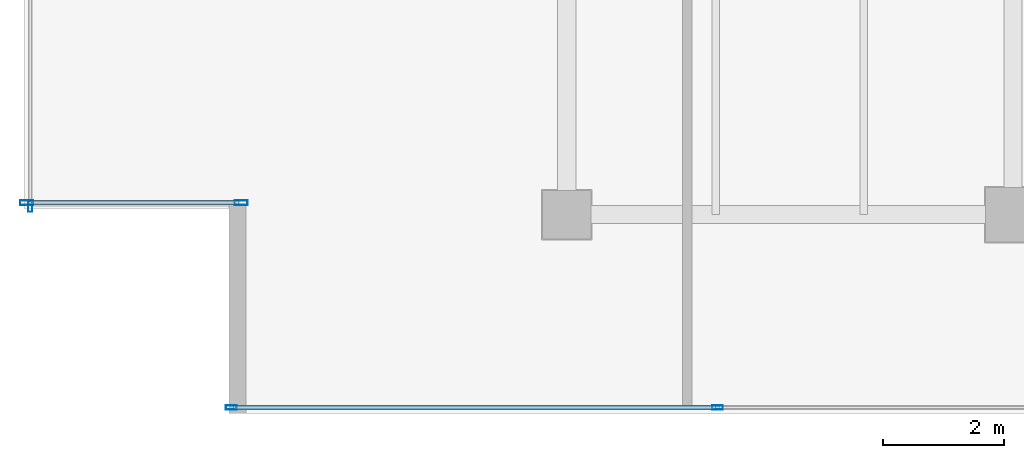
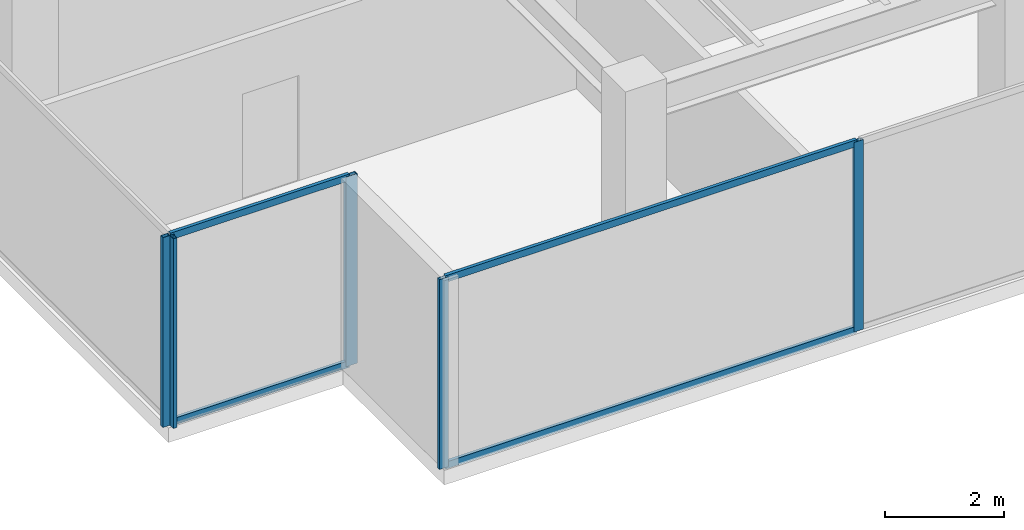
# One storey, part 4 of 32: 9 members, 3 elements without a shape of their own.
"""IFC4 building model written with IfcOpenShell, lengths in metres."""

from ifc_helpers import new_model, si_unit, direction, frame, origin, origin_2d, place, context, subcontext, project, spatial, hollow_rectangle, extrude, source, transform, mapped, material, layer, layer_set, material_profile, profile_set, type_object, type_shapes, element, aggregate, save


model = new_model("IFC4")

# Units and contexts
model_context = context("Model", 3, precision=1e-05, world=origin(), true_north=direction((0.0, 1.0)))
body_context = subcontext(model_context, "Body", "Model", "MODEL_VIEW")
ifc_project = project(units=[si_unit("LENGTHUNIT", "METRE"), si_unit("AREAUNIT", "SQUARE_METRE"), si_unit("VOLUMEUNIT", "CUBIC_METRE"), si_unit("PLANEANGLEUNIT", "RADIAN"), si_unit("MASSUNIT", "GRAM", prefix="KILO")], contexts=[model_context])

# Site, building, storey
site_placement = place(None, origin())
site = spatial("IfcSite", under=ifc_project, at=site_placement, CompositionType="ELEMENT")
building_placement = place(site_placement, origin())
building = spatial("IfcBuilding", under=site, at=building_placement, Name="Haelvirn Gate Laboratories", CompositionType="ELEMENT")
storey_placement = place(building_placement, frame((0.0, 0.0, 314.39990234375)))
storey = spatial("IfcBuildingStorey", under=building, at=storey_placement, Name="L75", CompositionType="ELEMENT", Elevation=314.39990234375)

# Curtain wall, members
ifc_material_1 = material(Name="Anodised bronze unitised aluminium & triple low-E glass", Category="aluminium")
ifc_layer_1 = layer(ifc_material_1, 0.181884765625, Name="CW-SYS-5")
ifc_layer_set_1 = layer_set([ifc_layer_1], Name="Anodised bronze unitised aluminium & triple low-E glass")
curtain_wall_type_1 = type_object("IfcCurtainWallType", Name="CW-SYS-5", PredefinedType="NOTDEFINED", material=ifc_layer_set_1)
curtain_wall_1_placement = place(storey_placement, origin())
curtain_wall_1 = element("IfcCurtainWall", 1, at=curtain_wall_1_placement, inside=storey, type_object=curtain_wall_type_1, Name="L75 Unitised Curtain Wall CW-L75-P0-E18-1", PredefinedType="NOTDEFINED")
ifc_material_2 = material(Name="Extruded aluminium 6063-T6 (anodised bronze)", Category="aluminium")
ifc_material_profile_1 = material_profile(ifc_material_2, hollow_rectangle(XDim=0.06494140625, YDim=0.139892578125, WallThickness=0.00390625, at=origin_2d()), Name="CWT-140x65x4")
ifc_profile_set_1 = profile_set([ifc_material_profile_1], Name="Extruded aluminium 6063-T6 (anodised bronze)")
member_type_1 = type_object("IfcMemberType", Name="CWT-T140", PredefinedType="USERDEFINED", material=ifc_profile_set_1)
shared_shape_1 = source(origin(), body_context, "Body", "SweptSolid", [
    extrude(hollow_rectangle(XDim=0.06494140625, YDim=0.139892578125, WallThickness=0.00390625, at=origin_2d()), origin(), (0.0, 0.0, 1.0), 3.480224609375),
])
member_1_placement = place(storey_placement, frame((5.8798828125, 7.199951171875, 0.03271484375), z_axis=(1.0, 0.0, 0.0), x_axis=(0.0, 1.0, 0.0)))
member_1 = element("IfcMember", 2, at=member_1_placement, type_object=member_type_1, Name="CW5 transom 1.1", ObjectType="TRANSOM", PredefinedType="USERDEFINED", context=body_context, shape_type="MappedRepresentation", body=[
    mapped(shared_shape_1, transform((0.0, 0.0, 0.0), scale=1.0)),
])
member_2_placement = place(storey_placement, frame((5.8798828125, 7.199951171875, 3.86767578125), z_axis=(1.0, 0.0, 0.0), x_axis=(0.0, 1.0, 0.0)))
member_2 = element("IfcMember", 3, at=member_2_placement, type_object=member_type_1, Name="CW5 transom 1.2", ObjectType="TRANSOM", PredefinedType="USERDEFINED", context=body_context, shape_type="MappedRepresentation", body=[
    mapped(shared_shape_1, transform((0.0, 0.0, 0.0), scale=1.0)),
])

ifc_layer_2 = layer(ifc_material_1, 0.176025390625, Name="CW-SYS-4")
ifc_layer_set_2 = layer_set([ifc_layer_2], Name="Anodised bronze unitised aluminium & triple low-E glass")
curtain_wall_type_2 = type_object("IfcCurtainWallType", Name="CW-SYS-4", PredefinedType="NOTDEFINED", material=ifc_layer_set_2)
curtain_wall_2_placement = place(storey_placement, origin())
curtain_wall_2 = element("IfcCurtainWall", 4, at=curtain_wall_2_placement, inside=storey, type_object=curtain_wall_type_2, Name="L75 Unitised Curtain Wall CW-L75-P0-E00-1", PredefinedType="NOTDEFINED")
shared_shape_2 = source(origin(), body_context, "Body", "SweptSolid", [
    extrude(hollow_rectangle(XDim=0.06494140625, YDim=0.139892578125, WallThickness=0.00390625, at=origin_2d()), origin(), (0.0, 0.0, 1.0), 7.994873046875),
])
type_shapes(member_type_1, [shared_shape_1, shared_shape_2])
member_3_placement = place(storey_placement, frame((9.27001953125, 3.800048828125, 0.03271484375), z_axis=(1.0, 0.0, 0.0), x_axis=(0.0, 1.0, 0.0)))
member_3 = element("IfcMember", 5, at=member_3_placement, type_object=member_type_1, Name="CW4 transom 1.1", ObjectType="TRANSOM", PredefinedType="USERDEFINED", context=body_context, shape_type="MappedRepresentation", body=[
    mapped(shared_shape_2, transform((0.0, 0.0, 0.0), scale=1.0)),
])
member_4_placement = place(storey_placement, frame((9.27001953125, 3.800048828125, 3.86767578125), z_axis=(1.0, 0.0, 0.0), x_axis=(0.0, 1.0, 0.0)))
member_4 = element("IfcMember", 6, at=member_4_placement, type_object=member_type_1, Name="CW4 transom 1.2", ObjectType="TRANSOM", PredefinedType="USERDEFINED", context=body_context, shape_type="MappedRepresentation", body=[
    mapped(shared_shape_2, transform((0.0, 0.0, 0.0), scale=1.0)),
])
ifc_material_profile_2 = material_profile(ifc_material_2, hollow_rectangle(XDim=0.070068359375, YDim=0.179931640625, WallThickness=0.0048828125, at=origin_2d()), Name="CWM-180x70x5")
ifc_profile_set_2 = profile_set([ifc_material_profile_2], Name="Extruded aluminium 6063-T6 (anodised bronze)")
member_type_2 = type_object("IfcMemberType", Name="CWM-T180", PredefinedType="MULLION", material=ifc_profile_set_2)
shared_shape_3 = source(origin(), body_context, "Body", "SweptSolid", [
    extrude(hollow_rectangle(XDim=0.070068359375, YDim=0.179931640625, WallThickness=0.0048828125, at=origin_2d()), origin(), (0.0, 0.0, 1.0), 3.900146484375),
])
type_shapes(member_type_2, [shared_shape_3])
member_5_placement = place(storey_placement, frame((9.235107421875, 3.800048828125, 0.0), z_axis=(0.0, 0.0, 1.0), x_axis=(0.0, 1.0, 0.0)))
member_5 = element("IfcMember", 7, at=member_5_placement, type_object=member_type_2, Name="CW4 mullion 1", PredefinedType="MULLION", context=body_context, shape_type="MappedRepresentation", body=[
    mapped(shared_shape_3, transform((0.0, 0.0, 0.0), scale=1.0)),
])
member_6_placement = place(storey_placement, frame((17.300048828125, 3.800048828125, 0.0), z_axis=(0.0, 0.0, 1.0), x_axis=(0.0, 1.0, 0.0)))
member_6 = element("IfcMember", 8, at=member_6_placement, type_object=member_type_2, Name="CW4 mullion 2", PredefinedType="MULLION", context=body_context, shape_type="MappedRepresentation", body=[
    mapped(shared_shape_3, transform((0.0, 0.0, 0.0), scale=1.0)),
])
aggregate(curtain_wall_2, [member_5, member_6, member_3, member_4])

# Curtain wall, member
curtain_wall_3_placement = place(storey_placement, origin())
curtain_wall_3 = element("IfcCurtainWall", 9, at=curtain_wall_3_placement, inside=storey, type_object=curtain_wall_type_2, Name="L75 Unitised Curtain Wall CW-L75-P0-E17", PredefinedType="NOTDEFINED")
member_7_placement = place(storey_placement, frame((5.89990234375, 7.135009765625, 0.0), z_axis=(0.0, 0.0, 1.0), x_axis=(1.0, 0.0, 0.0)))
member_7 = element("IfcMember", 10, at=member_7_placement, type_object=member_type_2, Name="CW4 mullion 3", PredefinedType="MULLION", context=body_context, shape_type="MappedRepresentation", body=[
    mapped(shared_shape_3, transform((0.0, 0.0, 0.0), scale=1.0)),
])
aggregate(curtain_wall_3, [member_7])

# Member
ifc_material_profile_3 = material_profile(ifc_material_2, hollow_rectangle(XDim=0.080078125, YDim=0.219970703125, WallThickness=0.006103515625, at=origin_2d()), Name="CWM-220x80x6")
ifc_profile_set_3 = profile_set([ifc_material_profile_3], Name="Extruded aluminium 6063-T6 (anodised bronze)")
member_type_3 = type_object("IfcMemberType", Name="CWM-T220", PredefinedType="MULLION", material=ifc_profile_set_3)
shared_shape_4 = source(origin(), body_context, "Body", "SweptSolid", [
    extrude(hollow_rectangle(XDim=0.080078125, YDim=0.219970703125, WallThickness=0.006103515625, at=origin_2d()), origin(), (0.0, 0.0, 1.0), 3.900146484375),
])
type_shapes(member_type_3, [shared_shape_4])
member_8_placement = place(storey_placement, frame((5.840087890625, 7.199951171875, 0.0), z_axis=(0.0, 0.0, 1.0), x_axis=(0.0, 1.0, 0.0)))
member_8 = element("IfcMember", 11, at=member_8_placement, type_object=member_type_3, Name="CW5 mullion 1", PredefinedType="MULLION", context=body_context, shape_type="MappedRepresentation", body=[
    mapped(shared_shape_4, transform((0.0, 0.0, 0.0), scale=1.0)),
])

member_9_placement = place(storey_placement, frame((9.39990234375, 7.199951171875, 0.0), z_axis=(0.0, 0.0, 1.0), x_axis=(0.0, 1.0, 0.0)))
member_9 = element("IfcMember", 12, at=member_9_placement, type_object=member_type_3, Name="CW5 mullion 2", PredefinedType="MULLION", context=body_context, shape_type="MappedRepresentation", body=[
    mapped(shared_shape_4, transform((0.0, 0.0, 0.0), scale=1.0)),
])

aggregate(curtain_wall_1, [member_8, member_9, member_1, member_2])

save(model, "model.ifc")
